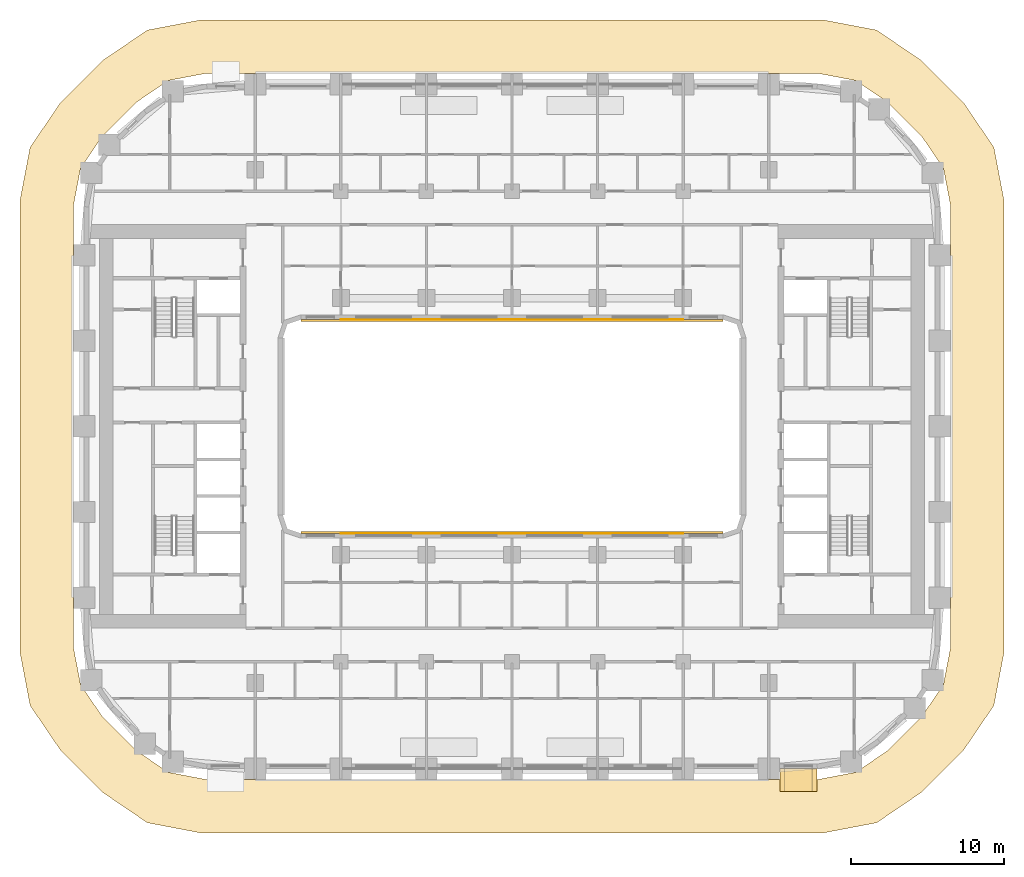
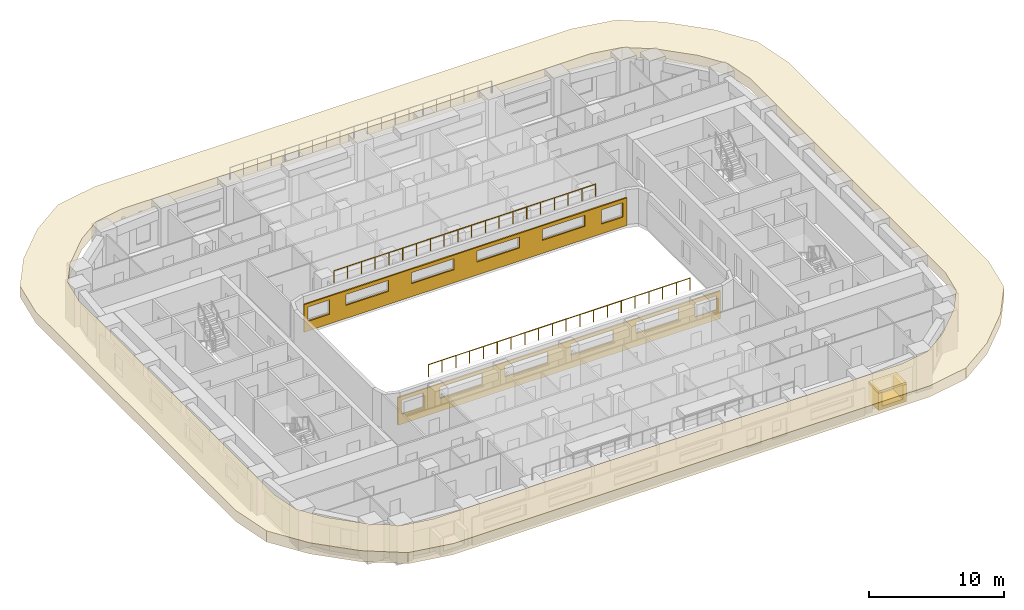
# One storey, part 15 of 18: 5 coverings, 2 railings.
"""IFC4 building model written with IfcOpenShell, lengths in metres."""

import ifcopenshell
import ifcopenshell.guid

model = None  # the IFC model being written
_history = None  # IfcOwnerHistory: only IFC2X3 demands one
_inside = {}  # id of a spatial element -> (the spatial element, [elements in it])
_under = {}  # id of a project, library or spatial element -> (it, [spatial elements below it])
_declared = {}  # id of a project -> (the project, [libraries it declares])
_typed = {}  # id of a type object -> (the type object, [elements of that type])
_made_of = {}  # id of a material, layer set ... -> (it, [elements and type objects made of it])


def new_model(schema):
    """Start an empty IFC model of exactly this schema.

    Asked for "IFC4X3", IfcOpenShell would pick the latest addendum, in which some entities
    have other attributes; the version numbers below select the first issue.
    IFC2X3 requires an IfcOwnerHistory on every rooted entity: one is made here for all.
    """
    global model, _history
    if schema == "IFC4X3":
        model = ifcopenshell.file(schema_version=(4, 3, 0, 0))
    else:
        model = ifcopenshell.file(schema=schema)
    _inside.clear()
    _under.clear()
    _declared.clear()
    _typed.clear()
    _made_of.clear()
    _history = None
    if model.schema == "IFC2X3":
        org = make("IfcOrganization", Name="unknown")
        user = make(
            "IfcPersonAndOrganization",
            ThePerson=make("IfcPerson", FamilyName="unknown"),
            TheOrganization=org,
        )
        app = make(
            "IfcApplication",
            ApplicationDeveloper=org,
            Version="unknown",
            ApplicationFullName="unknown",
            ApplicationIdentifier="unknown",
        )
        _history = make(
            "IfcOwnerHistory",
            OwningUser=user,
            OwningApplication=app,
            ChangeAction="ADDED",
            CreationDate=0,
        )
    return model


def make(cls, **values):
    """One entity of the class cls with the attributes given. An attribute that is None is left unset."""
    return model.create_entity(
        cls, **{name: value for name, value in values.items() if value is not None}
    )


def rooted(cls, **values):
    """An entity with a GlobalId (a new one), such as an element, a storey or a relation."""
    return make(cls, GlobalId=ifcopenshell.guid.new(), OwnerHistory=_history, **values)


def si_unit(unit_type, name, prefix=None):
    """IfcSIUnit, for example si_unit("LENGTHUNIT", "METRE", prefix="MILLI")."""
    return make("IfcSIUnit", UnitType=unit_type, Prefix=prefix, Name=name)


def assignment(units):
    """IfcUnitAssignment: the units of a project."""
    return None if units is None else make("IfcUnitAssignment", Units=units)


def point(xyz):
    """IfcCartesianPoint."""
    return None if xyz is None else make("IfcCartesianPoint", Coordinates=xyz)


def direction(xyz):
    """IfcDirection."""
    return None if xyz is None else make("IfcDirection", DirectionRatios=xyz)


def frame(location, z_axis=None, x_axis=None):
    """IfcAxis2Placement3D, a coordinate frame: its origin and axes. An axis left out is left unset."""
    return make(
        "IfcAxis2Placement3D",
        Location=point(location),
        Axis=direction(z_axis),
        RefDirection=direction(x_axis),
    )


def frame_2d(location, x_axis=None):
    """IfcAxis2Placement2D, a coordinate frame in the plane: its origin and x axis."""
    return make(
        "IfcAxis2Placement2D", Location=point(location), RefDirection=direction(x_axis)
    )


def origin():
    """The frame at (0, 0, 0) with its axes left unset."""
    return frame((0.0, 0.0, 0.0))


def origin_2d():
    """The frame at (0, 0) in the plane with its x axis left unset."""
    return frame_2d((0.0, 0.0))


def place(relative_to, where):
    """IfcLocalPlacement: puts the frame where relative to a parent placement (None: the world)."""
    return make(
        "IfcLocalPlacement", PlacementRelTo=relative_to, RelativePlacement=where
    )


def context(
    kind, dimensions, precision=None, world=None, true_north=None, identifier=None
):
    """IfcGeometricRepresentationContext, for example the 3D "Model" context."""
    return make(
        "IfcGeometricRepresentationContext",
        ContextIdentifier=identifier,
        ContextType=kind,
        CoordinateSpaceDimension=dimensions,
        Precision=precision,
        WorldCoordinateSystem=world,
        TrueNorth=true_north,
    )


def subcontext(parent, identifier, kind, view, scale=None):
    """IfcGeometricRepresentationSubContext, for example "Body" below "Model"."""
    return make(
        "IfcGeometricRepresentationSubContext",
        ContextIdentifier=identifier,
        ContextType=kind,
        ParentContext=parent,
        TargetScale=scale,
        TargetView=view,
    )


def project(units=None, contexts=None):
    """IfcProject with its units and contexts."""
    return rooted(
        "IfcProject",
        Name="project",
        RepresentationContexts=contexts,
        UnitsInContext=assignment(units),
    )


def spatial(cls, under=None, at=None, **own):
    """A site, building, storey or space (cls), placed at a placement, below another one or the project."""
    s = rooted(cls, ObjectPlacement=at, **own)
    if under is not None:
        _under.setdefault(under.id(), (under, []))[1].append(s)
    return s


def polyline(points):
    """IfcPolyline through the points."""
    return make("IfcPolyline", Points=[point(p) for p in points])


def profile(cls, at=None, kind="AREA", **sizes):
    """A parametric profile (cls). Its sizes go by their IFC names, for example OverallWidth=200.0."""
    return make(cls, ProfileType=kind, Position=at, **sizes)


def rectangle(**sizes):
    """IfcRectangleProfileDef."""
    return profile("IfcRectangleProfileDef", **sizes)


def circle(**sizes):
    """IfcCircleProfileDef."""
    return profile("IfcCircleProfileDef", **sizes)


def outline(outer, holes=None, kind="AREA"):
    """IfcArbitraryClosedProfileDef: a profile drawn as a closed curve; with holes, ...WithVoids."""
    if holes is None:
        return make("IfcArbitraryClosedProfileDef", ProfileType=kind, OuterCurve=outer)
    return make(
        "IfcArbitraryProfileDefWithVoids",
        ProfileType=kind,
        OuterCurve=outer,
        InnerCurves=holes,
    )


def extrude(swept, where, along, depth):
    """IfcExtrudedAreaSolid: the profile swept, set in the frame where, extruded along a direction by depth."""
    return make(
        "IfcExtrudedAreaSolid",
        SweptArea=swept,
        Position=where,
        ExtrudedDirection=direction(along),
        Depth=depth,
    )


def shape(context_of_items, identifier, shape_type, items):
    """IfcShapeRepresentation: the items that make up one representation, for example the "Body"."""
    return make(
        "IfcShapeRepresentation",
        ContextOfItems=context_of_items,
        RepresentationIdentifier=identifier,
        RepresentationType=shape_type,
        Items=items,
    )


def material(Name=None, Category=None):
    """IfcMaterial."""
    return make("IfcMaterial", Name=Name, Category=Category)


def layer(
    of_material, thickness, ventilated=None, Name=None, Category=None, Priority=None
):
    """IfcMaterialLayer: one layer of a wall or slab, of a material (None: an air gap)."""
    return make(
        "IfcMaterialLayer",
        Material=of_material,
        LayerThickness=thickness,
        IsVentilated=ventilated,
        Name=Name,
        Category=Category,
        Priority=Priority,
    )


def layer_set(layers, Name=None):
    """IfcMaterialLayerSet."""
    return make("IfcMaterialLayerSet", MaterialLayers=layers, LayerSetName=Name)


def made_of(thing, what):
    """Note that an element or type object is made of a material, layer set ...; save() writes the relation."""
    if what is not None:
        _made_of.setdefault(what.id(), (what, []))[1].append(thing)
    return thing


def type_object(cls, material=None, **own):
    """A type object (cls), such as IfcWallType, which elements share."""
    return made_of(rooted(cls, **own), material)


def element(
    cls,
    number,
    at=None,
    inside=None,
    cuts=None,
    type_object=None,
    material=None,
    context=None,
    identifier="Body",
    shape_type=None,
    held_by="IfcProductDefinitionShape",
    body=None,
    shapes=None,
    **own,
):
    """One element of the class cls, such as IfcWall. Its Tag is "e" and its number.

    at: its placement. inside: the storey or other place that contains it. cuts: it is an
    opening in that element (IfcRelVoidsElement). A single representation is given by context,
    identifier, shape_type and body (its items); several are given by shapes. held_by: the class
    of the entity that holds the representations. save() writes the other relations.
    """
    e = rooted(cls, Tag="e%d" % number, ObjectPlacement=at, **own)
    if body is not None:
        shapes = [shape(context, identifier, shape_type, body)]
    if shapes is not None:
        e.Representation = make(held_by, Representations=shapes)
    if inside is not None:
        _inside.setdefault(inside.id(), (inside, []))[1].append(e)
    if cuts is not None:
        rooted(
            "IfcRelVoidsElement", RelatingBuildingElement=cuts, RelatedOpeningElement=e
        )
    if type_object is not None:
        _typed.setdefault(type_object.id(), (type_object, []))[1].append(e)
    return made_of(e, material)


def aggregate(whole, parts):
    """IfcRelAggregates: a whole, such as a stair, and the parts it consists of."""
    return rooted("IfcRelAggregates", RelatingObject=whole, RelatedObjects=parts)


def save(model, path):
    """Write the relations noted so far, then the file.

    IfcRelAggregates (storeys below a building ...), IfcRelContainedInSpatialStructure (elements
    in a storey), IfcRelDefinesByType, IfcRelAssociatesMaterial and IfcRelDeclares: one each for
    every whole, place, type object, material and project.
    """
    for whole, parts in _under.values():
        aggregate(whole, parts)
    for where, things in _inside.values():
        rooted(
            "IfcRelContainedInSpatialStructure",
            RelatedElements=things,
            RelatingStructure=where,
        )
    for kind, things in _typed.values():
        rooted("IfcRelDefinesByType", RelatedObjects=things, RelatingType=kind)
    for what, things in _made_of.values():
        rooted("IfcRelAssociatesMaterial", RelatedObjects=things, RelatingMaterial=what)
    for by, libraries in _declared.values():
        rooted("IfcRelDeclares", RelatingContext=by, RelatedDefinitions=libraries)
    model.write(path)


model = new_model("IFC4")

# Units and contexts
model_context = context("Model", 3, precision=1e-05, world=origin(), true_north=direction((0.0, 1.0)))
body_context = subcontext(model_context, "Body", "Model", "MODEL_VIEW")
ifc_project = project(units=[si_unit("LENGTHUNIT", "METRE"), si_unit("AREAUNIT", "SQUARE_METRE"), si_unit("VOLUMEUNIT", "CUBIC_METRE"), si_unit("PLANEANGLEUNIT", "RADIAN"), si_unit("MASSUNIT", "GRAM", prefix="KILO")], contexts=[model_context])

# Site, building, storey
site_placement = place(None, origin())
site = spatial("IfcSite", under=ifc_project, at=site_placement, CompositionType="ELEMENT")
building_placement = place(site_placement, origin())
building = spatial("IfcBuilding", under=site, at=building_placement, Name="Kiln Ring Residences", CompositionType="ELEMENT")
storey_placement = place(building_placement, frame((0.0, 0.0, 69.0)))
storey = spatial("IfcBuildingStorey", under=building, at=storey_placement, Name="L17", CompositionType="ELEMENT", Elevation=69.0)

# Coverings
ifc_material_1 = material(Name="Brick masonry, dark clay brick", Category="masonry")
ifc_layer_1 = layer(ifc_material_1, 0.300048828125)
ifc_layer_set_1 = layer_set([ifc_layer_1], Name="FRAME CHEEKS AND SILL 1500")
covering_type_1 = type_object("IfcCoveringType", Name="FRAME CHEEKS AND SILL 1500", PredefinedType="CLADDING", material=ifc_layer_set_1)
covering_1_placement = place(storey_placement, frame((17.550048828125, -23.14990234375, 0.60009765625), z_axis=(0.0, 0.0, 1.0), x_axis=(1.0, 0.0, 0.0)))
element("IfcCovering", 1, at=covering_1_placement, inside=storey, type_object=covering_type_1, Name="FRAME L17", PredefinedType="CLADDING", context=body_context, shape_type="SweptSolid", body=[
    extrude(outline(polyline([(0.0, 0.0), (2.39990234375, 0.0), (2.39990234375, 1.5498046875), (2.10107421875, 1.5498046875), (2.10009765625, 0.2998046875), (0.300048828125, 0.2998046875), (0.299072265625, 1.5498046875), (0.0, 1.5498046875), (0.0, 0.0)])), frame((0.0, 0.75, 0.0), z_axis=(0.0, -1.0, 0.0), x_axis=(1.0, 0.0, 0.0)), (0.0, 0.0, 1.0), 1.5),
])
ifc_material_2 = material(Name="Brick masonry, dark clay brick", Category="masonry")
ifc_layer_2 = layer(ifc_material_2, 0.199951171875)
ifc_layer_set_2 = layer_set([ifc_layer_2], Name="FRAME HEAD 1500")
covering_type_2 = type_object("IfcCoveringType", Name="FRAME HEAD 1500", PredefinedType="CLADDING", material=ifc_layer_set_2)
covering_2_placement = place(storey_placement, frame((18.75, -23.14990234375, 2.14990234375), z_axis=(0.0, 0.0, 1.0), x_axis=(1.0, 0.0, 0.0)))
element("IfcCovering", 2, at=covering_2_placement, inside=storey, type_object=covering_type_2, Name="FRAME HEAD L17", PredefinedType="CLADDING", context=body_context, shape_type="SweptSolid", body=[
    extrude(rectangle(XDim=2.39990234375, YDim=1.5, at=origin_2d()), origin(), (0.0, 0.0, 1.0), 0.199951171875),
])
ifc_material_3 = material(Name="Brick masonry, dark clay brick", Category="masonry")
ifc_layer_3 = layer(ifc_material_3, 0.1201171875)
ifc_layer_set_3 = layer_set([ifc_layer_3], Name="RAINSCREEN PANEL 120")
covering_type_3 = type_object("IfcCoveringType", Name="RAINSCREEN PANEL 120", PredefinedType="CLADDING", material=ifc_layer_set_3)
for number, where, z_axis, x_axis, name in (
    (3, (-13.800048828125, 6.93994140625, 0.0), (0.0, 0.0, 1.0), (1.0, 0.0, 0.0), "RAINSCREEN L17"),
    (4, (13.800048828125, -6.93994140625, 0.0), (0.0, 0.0, 1.0), (-1.0, 0.0, 0.0), "RAINSCREEN L17"),
):
    element("IfcCovering", number, at=place(storey_placement, frame(where, z_axis=z_axis, x_axis=x_axis)), inside=storey, type_object=covering_type_3, Name=name, PredefinedType="CLADDING", context=body_context, shape_type="SweptSolid", body=[
        extrude(outline(polyline([(0.0, 0.0), (27.60009765625, 0.0), (27.60009765625, 2.5), (0.0, 2.5), (0.0, 0.0)]), holes=[polyline([(2.1826171875, 0.8798828125), (2.1826171875, 2.169921875), (0.342529296875, 2.169921875), (0.342529296875, 0.8798828125), (2.1826171875, 0.8798828125)]), polyline([(25.41748046875, 0.8798828125), (27.257568359375, 0.8798828125), (27.257568359375, 2.169921875), (25.41748046875, 2.169921875), (25.41748046875, 0.8798828125)]), polyline([(3.580078125, 1.179931640625), (7.219970703125, 1.179931640625), (7.219970703125, 2.169921875), (3.580078125, 2.169921875), (3.580078125, 1.179931640625)]), polyline([(12.820068359375, 1.179931640625), (12.820068359375, 2.169921875), (9.179931640625, 2.169921875), (9.179931640625, 1.179931640625), (12.820068359375, 1.179931640625)]), polyline([(14.780029296875, 1.179931640625), (18.419921875, 1.179931640625), (18.419921875, 2.169921875), (14.780029296875, 2.169921875), (14.780029296875, 1.179931640625)]), polyline([(20.3798828125, 1.179931640625), (24.02001953125, 1.179931640625), (24.02001953125, 2.169921875), (20.3798828125, 2.169921875), (20.3798828125, 1.179931640625)])]), frame((0.0, 0.06005859375, 0.0), z_axis=(0.0, -1.0, 0.0), x_axis=(1.0, 0.0, 0.0)), (0.0, 0.0, 1.0), 0.1201171875),
    ])

# Railings
ifc_material_4 = material(Name="Black powder-coated steel", Category="steel")
railing_type = type_object("IfcRailingType", Name="ROOF GUARD 1100", PredefinedType="GUARDRAIL", material=ifc_material_4)
railing_1_placement = place(storey_placement, frame((-11.199951171875, 7.0, 3.5)))
element("IfcRailing", 5, at=railing_1_placement, inside=storey, type_object=railing_type, Name="GUARD L17 sky portal terrace", PredefinedType="GUARDRAIL", context=body_context, shape_type="SweptSolid", body=[
    extrude(circle(Radius=0.02392578125, at=origin_2d()), frame((0.0, 0.0, 1.076171875), z_axis=(1.0, 0.0, 0.0), x_axis=(0.0, 1.0, 0.0)), (0.0, 0.0, 1.0), 22.39990234375),
    extrude(circle(Radius=0.02099609375, at=origin_2d()), origin(), (0.0, 0.0, 1.0), 1.052001953125),
    extrude(circle(Radius=0.02099609375, at=origin_2d()), frame((1.178955078125, 0.0, 0.0)), (0.0, 0.0, 1.0), 1.052001953125),
    extrude(circle(Radius=0.02099609375, at=origin_2d()), frame((2.35791015625, 0.0, 0.0)), (0.0, 0.0, 1.0), 1.052001953125),
    extrude(circle(Radius=0.02099609375, at=origin_2d()), frame((3.536865234375, 0.0, 0.0)), (0.0, 0.0, 1.0), 1.052001953125),
    extrude(circle(Radius=0.02099609375, at=origin_2d()), frame((4.7158203125, 0.0, 0.0)), (0.0, 0.0, 1.0), 1.052001953125),
    extrude(circle(Radius=0.02099609375, at=origin_2d()), frame((5.894775390625, 0.0, 0.0)), (0.0, 0.0, 1.0), 1.052001953125),
    extrude(circle(Radius=0.02099609375, at=origin_2d()), frame((7.07373046875, 0.0, 0.0)), (0.0, 0.0, 1.0), 1.052001953125),
    extrude(circle(Radius=0.02099609375, at=origin_2d()), frame((8.252685546875, 0.0, 0.0)), (0.0, 0.0, 1.0), 1.052001953125),
    extrude(circle(Radius=0.02099609375, at=origin_2d()), frame((9.431640625, 0.0, 0.0)), (0.0, 0.0, 1.0), 1.052001953125),
    extrude(circle(Radius=0.02099609375, at=origin_2d()), frame((10.610595703125, 0.0, 0.0)), (0.0, 0.0, 1.0), 1.052001953125),
    extrude(circle(Radius=0.02099609375, at=origin_2d()), frame((11.789306640625, 0.0, 0.0)), (0.0, 0.0, 1.0), 1.052001953125),
    extrude(circle(Radius=0.02099609375, at=origin_2d()), frame((12.96826171875, 0.0, 0.0)), (0.0, 0.0, 1.0), 1.052001953125),
    extrude(circle(Radius=0.02099609375, at=origin_2d()), frame((14.147216796875, 0.0, 0.0)), (0.0, 0.0, 1.0), 1.052001953125),
    extrude(circle(Radius=0.02099609375, at=origin_2d()), frame((15.326171875, 0.0, 0.0)), (0.0, 0.0, 1.0), 1.052001953125),
    extrude(circle(Radius=0.02099609375, at=origin_2d()), frame((16.505126953125, 0.0, 0.0)), (0.0, 0.0, 1.0), 1.052001953125),
    extrude(circle(Radius=0.02099609375, at=origin_2d()), frame((17.68408203125, 0.0, 0.0)), (0.0, 0.0, 1.0), 1.052001953125),
    extrude(circle(Radius=0.02099609375, at=origin_2d()), frame((18.863037109375, 0.0, 0.0)), (0.0, 0.0, 1.0), 1.052001953125),
    extrude(circle(Radius=0.02099609375, at=origin_2d()), frame((20.0419921875, 0.0, 0.0)), (0.0, 0.0, 1.0), 1.052001953125),
    extrude(circle(Radius=0.02099609375, at=origin_2d()), frame((21.220947265625, 0.0, 0.0)), (0.0, 0.0, 1.0), 1.052001953125),
    extrude(circle(Radius=0.02099609375, at=origin_2d()), frame((22.39990234375, 0.0, 0.0)), (0.0, 0.0, 1.0), 1.052001953125),
])
railing_2_placement = place(storey_placement, frame((11.199951171875, -7.0, 3.5)))
element("IfcRailing", 6, at=railing_2_placement, inside=storey, type_object=railing_type, Name="GUARD L17 sky portal terrace", PredefinedType="GUARDRAIL", context=body_context, shape_type="SweptSolid", body=[
    extrude(circle(Radius=0.02392578125, at=origin_2d()), frame((0.0, 0.0, 1.076171875), z_axis=(-1.0, 0.0, 0.0), x_axis=(0.0, -1.0, 0.0)), (0.0, 0.0, 1.0), 22.39990234375),
    extrude(circle(Radius=0.02099609375, at=origin_2d()), origin(), (0.0, 0.0, 1.0), 1.052001953125),
    extrude(circle(Radius=0.02099609375, at=origin_2d()), frame((-1.178955078125, 0.0, 0.0)), (0.0, 0.0, 1.0), 1.052001953125),
    extrude(circle(Radius=0.02099609375, at=origin_2d()), frame((-2.35791015625, 0.0, 0.0)), (0.0, 0.0, 1.0), 1.052001953125),
    extrude(circle(Radius=0.02099609375, at=origin_2d()), frame((-3.536865234375, 0.0, 0.0)), (0.0, 0.0, 1.0), 1.052001953125),
    extrude(circle(Radius=0.02099609375, at=origin_2d()), frame((-4.7158203125, 0.0, 0.0)), (0.0, 0.0, 1.0), 1.052001953125),
    extrude(circle(Radius=0.02099609375, at=origin_2d()), frame((-5.894775390625, 0.0, 0.0)), (0.0, 0.0, 1.0), 1.052001953125),
    extrude(circle(Radius=0.02099609375, at=origin_2d()), frame((-7.07373046875, 0.0, 0.0)), (0.0, 0.0, 1.0), 1.052001953125),
    extrude(circle(Radius=0.02099609375, at=origin_2d()), frame((-8.252685546875, 0.0, 0.0)), (0.0, 0.0, 1.0), 1.052001953125),
    extrude(circle(Radius=0.02099609375, at=origin_2d()), frame((-9.431640625, 0.0, 0.0)), (0.0, 0.0, 1.0), 1.052001953125),
    extrude(circle(Radius=0.02099609375, at=origin_2d()), frame((-10.610595703125, 0.0, 0.0)), (0.0, 0.0, 1.0), 1.052001953125),
    extrude(circle(Radius=0.02099609375, at=origin_2d()), frame((-11.789306640625, 0.0, 0.0)), (0.0, 0.0, 1.0), 1.052001953125),
    extrude(circle(Radius=0.02099609375, at=origin_2d()), frame((-12.96826171875, 0.0, 0.0)), (0.0, 0.0, 1.0), 1.052001953125),
    extrude(circle(Radius=0.02099609375, at=origin_2d()), frame((-14.147216796875, 0.0, 0.0)), (0.0, 0.0, 1.0), 1.052001953125),
    extrude(circle(Radius=0.02099609375, at=origin_2d()), frame((-15.326171875, 0.0, 0.0)), (0.0, 0.0, 1.0), 1.052001953125),
    extrude(circle(Radius=0.02099609375, at=origin_2d()), frame((-16.505126953125, 0.0, 0.0)), (0.0, 0.0, 1.0), 1.052001953125),
    extrude(circle(Radius=0.02099609375, at=origin_2d()), frame((-17.68408203125, 0.0, 0.0)), (0.0, 0.0, 1.0), 1.052001953125),
    extrude(circle(Radius=0.02099609375, at=origin_2d()), frame((-18.863037109375, 0.0, 0.0)), (0.0, 0.0, 1.0), 1.052001953125),
    extrude(circle(Radius=0.02099609375, at=origin_2d()), frame((-20.0419921875, 0.0, 0.0)), (0.0, 0.0, 1.0), 1.052001953125),
    extrude(circle(Radius=0.02099609375, at=origin_2d()), frame((-21.220947265625, 0.0, 0.0)), (0.0, 0.0, 1.0), 1.052001953125),
    extrude(circle(Radius=0.02099609375, at=origin_2d()), frame((-22.39990234375, 0.0, 0.0)), (0.0, 0.0, 1.0), 1.052001953125),
])

# Covering
ifc_material_5 = material(Name="Black powder-coated steel", Category="steel")
ifc_layer_4 = layer(ifc_material_5, 1.0)
ifc_layer_set_4 = layer_set([ifc_layer_4], Name="SUNSHADE FIN 3500")
covering_type_4 = type_object("IfcCoveringType", Name="SUNSHADE FIN 3500", PredefinedType="CLADDING", material=ifc_layer_set_4)
covering_3_placement = place(storey_placement, frame((0.0, 0.0, 2.5)))
element("IfcCovering", 7, at=covering_3_placement, inside=storey, type_object=covering_type_4, Name="SUNSHADE FIN L17", PredefinedType="CLADDING", context=body_context, shape_type="SweptSolid", body=[
    extrude(outline(polyline([(-31.538330078125, -18.265625), (-29.553466796875, -21.186279296875), (-26.7861328125, -23.95361328125), (-23.865478515625, -25.9384765625), (-20.39697265625, -26.60009765625), (20.39697265625, -26.60009765625), (23.865478515625, -25.9384765625), (26.7861328125, -23.95361328125), (29.553466796875, -21.186279296875), (31.538330078125, -18.265625), (32.199951171875, -14.797119140625), (32.199951171875, 14.797119140625), (31.538330078125, 18.265625), (29.553466796875, 21.186279296875), (26.7861328125, 23.95361328125), (23.865478515625, 25.9384765625), (20.39697265625, 26.60009765625), (-20.39697265625, 26.60009765625), (-23.865478515625, 25.9384765625), (-26.7861328125, 23.95361328125), (-29.553466796875, 21.186279296875), (-31.538330078125, 18.265625), (-32.199951171875, 14.797119140625), (-32.199951171875, -14.797119140625), (-31.538330078125, -18.265625)]), holes=[polyline([(-24.545166015625, -21.24462890625), (-26.8447265625, -18.9453125), (-28.236083984375, -16.897705078125), (-28.699951171875, -14.46630859375), (-28.699951171875, 14.46630859375), (-28.236083984375, 16.897705078125), (-26.8447265625, 18.9453125), (-24.545166015625, 21.24462890625), (-22.497802734375, 22.63623046875), (-20.066162109375, 23.10009765625), (20.066162109375, 23.10009765625), (22.497802734375, 22.63623046875), (24.545166015625, 21.24462890625), (26.8447265625, 18.9453125), (28.236083984375, 16.897705078125), (28.699951171875, 14.46630859375), (28.699951171875, -14.46630859375), (28.236083984375, -16.897705078125), (26.8447265625, -18.9453125), (24.545166015625, -21.24462890625), (22.497802734375, -22.63623046875), (20.066162109375, -23.10009765625), (-20.066162109375, -23.10009765625), (-22.497802734375, -22.63623046875), (-24.545166015625, -21.24462890625)])]), origin(), (0.0, 0.0, 1.0), 1.0),
])

save(model, "model.ifc")
